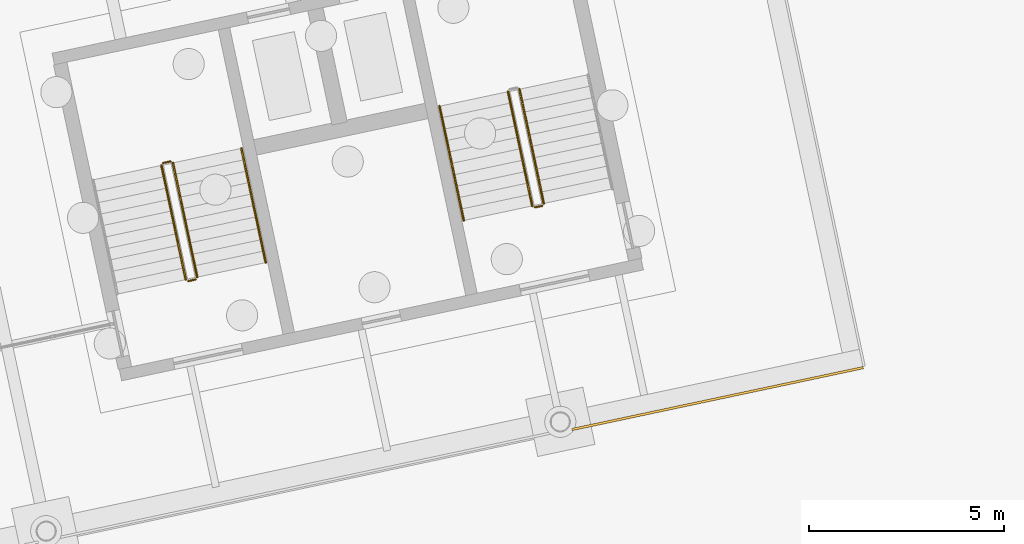
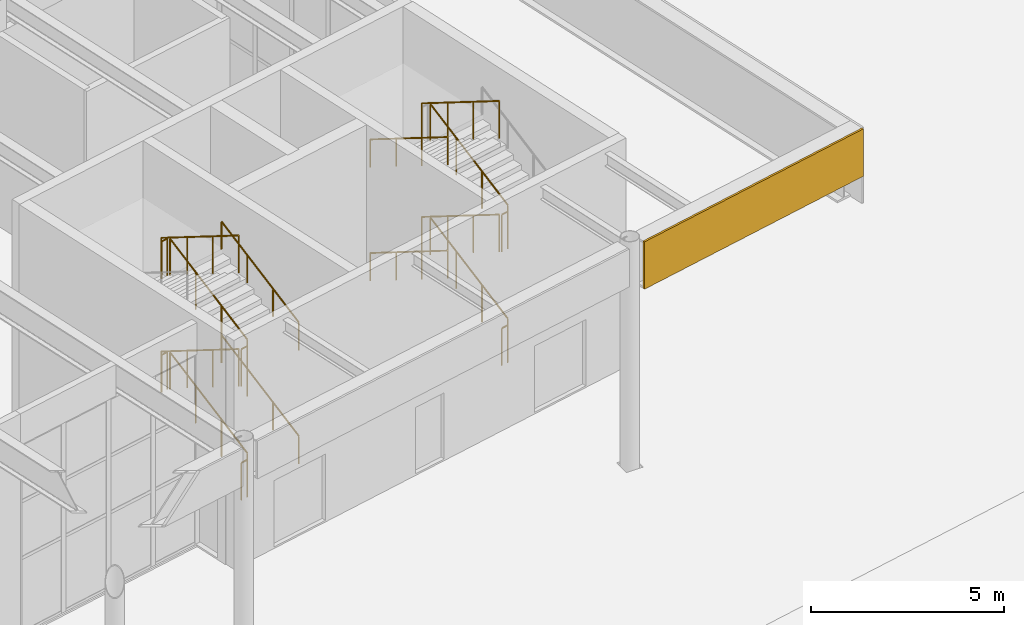
# One storey, part 217 of 239: 18 railings, 1 covering.
"""IFC4 building model written with IfcOpenShell, lengths in metres."""

import ifcopenshell
import ifcopenshell.guid

model = None  # the IFC model being written
_history = None  # IfcOwnerHistory: only IFC2X3 demands one
_inside = {}  # id of a spatial element -> (the spatial element, [elements in it])
_under = {}  # id of a project, library or spatial element -> (it, [spatial elements below it])
_declared = {}  # id of a project -> (the project, [libraries it declares])
_typed = {}  # id of a type object -> (the type object, [elements of that type])
_made_of = {}  # id of a material, layer set ... -> (it, [elements and type objects made of it])


def new_model(schema):
    """Start an empty IFC model of exactly this schema.

    Asked for "IFC4X3", IfcOpenShell would pick the latest addendum, in which some entities
    have other attributes; the version numbers below select the first issue.
    IFC2X3 requires an IfcOwnerHistory on every rooted entity: one is made here for all.
    """
    global model, _history
    if schema == "IFC4X3":
        model = ifcopenshell.file(schema_version=(4, 3, 0, 0))
    else:
        model = ifcopenshell.file(schema=schema)
    _inside.clear()
    _under.clear()
    _declared.clear()
    _typed.clear()
    _made_of.clear()
    _history = None
    if model.schema == "IFC2X3":
        org = make("IfcOrganization", Name="unknown")
        user = make(
            "IfcPersonAndOrganization",
            ThePerson=make("IfcPerson", FamilyName="unknown"),
            TheOrganization=org,
        )
        app = make(
            "IfcApplication",
            ApplicationDeveloper=org,
            Version="unknown",
            ApplicationFullName="unknown",
            ApplicationIdentifier="unknown",
        )
        _history = make(
            "IfcOwnerHistory",
            OwningUser=user,
            OwningApplication=app,
            ChangeAction="ADDED",
            CreationDate=0,
        )
    return model


def make(cls, **values):
    """One entity of the class cls with the attributes given. An attribute that is None is left unset."""
    return model.create_entity(
        cls, **{name: value for name, value in values.items() if value is not None}
    )


def rooted(cls, **values):
    """An entity with a GlobalId (a new one), such as an element, a storey or a relation."""
    return make(cls, GlobalId=ifcopenshell.guid.new(), OwnerHistory=_history, **values)


def si_unit(unit_type, name, prefix=None):
    """IfcSIUnit, for example si_unit("LENGTHUNIT", "METRE", prefix="MILLI")."""
    return make("IfcSIUnit", UnitType=unit_type, Prefix=prefix, Name=name)


def assignment(units):
    """IfcUnitAssignment: the units of a project."""
    return None if units is None else make("IfcUnitAssignment", Units=units)


def point(xyz):
    """IfcCartesianPoint."""
    return None if xyz is None else make("IfcCartesianPoint", Coordinates=xyz)


def direction(xyz):
    """IfcDirection."""
    return None if xyz is None else make("IfcDirection", DirectionRatios=xyz)


def frame(location, z_axis=None, x_axis=None):
    """IfcAxis2Placement3D, a coordinate frame: its origin and axes. An axis left out is left unset."""
    return make(
        "IfcAxis2Placement3D",
        Location=point(location),
        Axis=direction(z_axis),
        RefDirection=direction(x_axis),
    )


def frame_2d(location, x_axis=None):
    """IfcAxis2Placement2D, a coordinate frame in the plane: its origin and x axis."""
    return make(
        "IfcAxis2Placement2D", Location=point(location), RefDirection=direction(x_axis)
    )


def origin():
    """The frame at (0, 0, 0) with its axes left unset."""
    return frame((0.0, 0.0, 0.0))


def origin_2d():
    """The frame at (0, 0) in the plane with its x axis left unset."""
    return frame_2d((0.0, 0.0))


def place(relative_to, where):
    """IfcLocalPlacement: puts the frame where relative to a parent placement (None: the world)."""
    return make(
        "IfcLocalPlacement", PlacementRelTo=relative_to, RelativePlacement=where
    )


def context(
    kind, dimensions, precision=None, world=None, true_north=None, identifier=None
):
    """IfcGeometricRepresentationContext, for example the 3D "Model" context."""
    return make(
        "IfcGeometricRepresentationContext",
        ContextIdentifier=identifier,
        ContextType=kind,
        CoordinateSpaceDimension=dimensions,
        Precision=precision,
        WorldCoordinateSystem=world,
        TrueNorth=true_north,
    )


def subcontext(parent, identifier, kind, view, scale=None):
    """IfcGeometricRepresentationSubContext, for example "Body" below "Model"."""
    return make(
        "IfcGeometricRepresentationSubContext",
        ContextIdentifier=identifier,
        ContextType=kind,
        ParentContext=parent,
        TargetScale=scale,
        TargetView=view,
    )


def project(units=None, contexts=None):
    """IfcProject with its units and contexts."""
    return rooted(
        "IfcProject",
        Name="project",
        RepresentationContexts=contexts,
        UnitsInContext=assignment(units),
    )


def spatial(cls, under=None, at=None, **own):
    """A site, building, storey or space (cls), placed at a placement, below another one or the project."""
    s = rooted(cls, ObjectPlacement=at, **own)
    if under is not None:
        _under.setdefault(under.id(), (under, []))[1].append(s)
    return s


def profile(cls, at=None, kind="AREA", **sizes):
    """A parametric profile (cls). Its sizes go by their IFC names, for example OverallWidth=200.0."""
    return make(cls, ProfileType=kind, Position=at, **sizes)


def rectangle(**sizes):
    """IfcRectangleProfileDef."""
    return profile("IfcRectangleProfileDef", **sizes)


def circle(**sizes):
    """IfcCircleProfileDef."""
    return profile("IfcCircleProfileDef", **sizes)


def extrude(swept, where, along, depth):
    """IfcExtrudedAreaSolid: the profile swept, set in the frame where, extruded along a direction by depth."""
    return make(
        "IfcExtrudedAreaSolid",
        SweptArea=swept,
        Position=where,
        ExtrudedDirection=direction(along),
        Depth=depth,
    )


def shape(context_of_items, identifier, shape_type, items):
    """IfcShapeRepresentation: the items that make up one representation, for example the "Body"."""
    return make(
        "IfcShapeRepresentation",
        ContextOfItems=context_of_items,
        RepresentationIdentifier=identifier,
        RepresentationType=shape_type,
        Items=items,
    )


def material(Name=None, Category=None):
    """IfcMaterial."""
    return make("IfcMaterial", Name=Name, Category=Category)


def layer(
    of_material, thickness, ventilated=None, Name=None, Category=None, Priority=None
):
    """IfcMaterialLayer: one layer of a wall or slab, of a material (None: an air gap)."""
    return make(
        "IfcMaterialLayer",
        Material=of_material,
        LayerThickness=thickness,
        IsVentilated=ventilated,
        Name=Name,
        Category=Category,
        Priority=Priority,
    )


def layer_set(layers, Name=None):
    """IfcMaterialLayerSet."""
    return make("IfcMaterialLayerSet", MaterialLayers=layers, LayerSetName=Name)


def made_of(thing, what):
    """Note that an element or type object is made of a material, layer set ...; save() writes the relation."""
    if what is not None:
        _made_of.setdefault(what.id(), (what, []))[1].append(thing)
    return thing


def type_object(cls, material=None, **own):
    """A type object (cls), such as IfcWallType, which elements share."""
    return made_of(rooted(cls, **own), material)


def element(
    cls,
    number,
    at=None,
    inside=None,
    cuts=None,
    type_object=None,
    material=None,
    context=None,
    identifier="Body",
    shape_type=None,
    held_by="IfcProductDefinitionShape",
    body=None,
    shapes=None,
    **own,
):
    """One element of the class cls, such as IfcWall. Its Tag is "e" and its number.

    at: its placement. inside: the storey or other place that contains it. cuts: it is an
    opening in that element (IfcRelVoidsElement). A single representation is given by context,
    identifier, shape_type and body (its items); several are given by shapes. held_by: the class
    of the entity that holds the representations. save() writes the other relations.
    """
    e = rooted(cls, Tag="e%d" % number, ObjectPlacement=at, **own)
    if body is not None:
        shapes = [shape(context, identifier, shape_type, body)]
    if shapes is not None:
        e.Representation = make(held_by, Representations=shapes)
    if inside is not None:
        _inside.setdefault(inside.id(), (inside, []))[1].append(e)
    if cuts is not None:
        rooted(
            "IfcRelVoidsElement", RelatingBuildingElement=cuts, RelatedOpeningElement=e
        )
    if type_object is not None:
        _typed.setdefault(type_object.id(), (type_object, []))[1].append(e)
    return made_of(e, material)


def aggregate(whole, parts):
    """IfcRelAggregates: a whole, such as a stair, and the parts it consists of."""
    return rooted("IfcRelAggregates", RelatingObject=whole, RelatedObjects=parts)


def save(model, path):
    """Write the relations noted so far, then the file.

    IfcRelAggregates (storeys below a building ...), IfcRelContainedInSpatialStructure (elements
    in a storey), IfcRelDefinesByType, IfcRelAssociatesMaterial and IfcRelDeclares: one each for
    every whole, place, type object, material and project.
    """
    for whole, parts in _under.values():
        aggregate(whole, parts)
    for where, things in _inside.values():
        rooted(
            "IfcRelContainedInSpatialStructure",
            RelatedElements=things,
            RelatingStructure=where,
        )
    for kind, things in _typed.values():
        rooted("IfcRelDefinesByType", RelatedObjects=things, RelatingType=kind)
    for what, things in _made_of.values():
        rooted("IfcRelAssociatesMaterial", RelatedObjects=things, RelatingMaterial=what)
    for by, libraries in _declared.values():
        rooted("IfcRelDeclares", RelatingContext=by, RelatedDefinitions=libraries)
    model.write(path)


model = new_model("IFC4")

# Units and contexts
model_context = context("Model", 3, precision=1e-05, world=origin(), true_north=direction((0.0, 1.0)))
body_context = subcontext(model_context, "Body", "Model", "MODEL_VIEW")
ifc_project = project(units=[si_unit("LENGTHUNIT", "METRE"), si_unit("AREAUNIT", "SQUARE_METRE"), si_unit("VOLUMEUNIT", "CUBIC_METRE"), si_unit("PLANEANGLEUNIT", "RADIAN"), si_unit("MASSUNIT", "GRAM", prefix="KILO")], contexts=[model_context])

# Site, building, storey
site_placement = place(None, origin())
site = spatial("IfcSite", under=ifc_project, at=site_placement, CompositionType="ELEMENT")
building_placement = place(site_placement, origin())
building = spatial("IfcBuilding", under=site, at=building_placement, Name="Okhra Congress Centre", CompositionType="ELEMENT")
storey_placement = place(building_placement, origin())
storey = spatial("IfcBuildingStorey", under=building, at=storey_placement, Name="L00", CompositionType="ELEMENT", Elevation=0.0)

# Covering
ifc_material_1 = material(Name="Dark bronze anodised aluminium fascia panel", Category="aluminium")
ifc_layer = layer(ifc_material_1, 0.06005859375)
ifc_layer_set = layer_set([ifc_layer], Name="Dark bronze fascia strip 60")
covering_type = type_object("IfcCoveringType", Name="Dark bronze fascia strip 60", PredefinedType="CLADDING", material=ifc_layer_set)
covering_placement = place(storey_placement, frame((214.70849609375, 59.218017578125, 5.550048828125), z_axis=(0.0, 0.0, 1.0), x_axis=(0.978147600734, 0.207911690818, 0.0)))
element("IfcCovering", 1, at=covering_placement, inside=storey, type_object=covering_type, Name="Girder fascia strip", PredefinedType="CLADDING", context=body_context, shape_type="SweptSolid", body=[
    extrude(rectangle(XDim=7.64599609375, YDim=0.06005859375, at=origin_2d()), origin(), (0.0, 0.0, 1.0), 1.5),
])

# Railings
ifc_material_2 = material(Name="Painted steel tube handrail on wall brackets", Category="steel")
railing_type_1 = type_object("IfcRailingType", Name="Steel handrail 900", PredefinedType="HANDRAIL", material=ifc_material_2)
railing_1_placement = place(storey_placement, frame((203.1015625, 62.711181640625, 0.16357421875)))
element("IfcRailing", 2, at=railing_1_placement, inside=storey, type_object=railing_type_1, Name="L00 BS5A stair handrail 1", PredefinedType="HANDRAIL", context=body_context, shape_type="SweptSolid", body=[
    extrude(circle(Radius=0.02392578125, at=origin_2d()), frame((0.0, 0.0, 0.8759765625), z_axis=(-0.182539774255, 0.858687102456, 0.478890061383), x_axis=(-0.978142921837, -0.207933702079, 0.0)), (0.0, 0.0, 1.0), 3.417236328125),
    extrude(circle(Radius=0.02099609375, at=origin_2d()), origin(), (0.0, 0.0, 1.0), 0.851806640625),
    extrude(circle(Radius=0.02099609375, at=origin_2d()), frame((-0.2080078125, 0.97802734375, 0.54541015625)), (0.0, 0.0, 1.0), 0.851806640625),
    extrude(circle(Radius=0.02099609375, at=origin_2d()), frame((-0.415771484375, 1.956298828125, 1.091064453125)), (0.0, 0.0, 1.0), 0.851806640625),
    extrude(circle(Radius=0.02099609375, at=origin_2d()), frame((-0.623779296875, 2.934326171875, 1.636474609375)), (0.0, 0.0, 1.0), 0.851806640625),
])
railing_2_placement = place(storey_placement, frame((203.1015625, 62.711181640625, 3.763671875)))
element("IfcRailing", 3, at=railing_2_placement, inside=storey, type_object=railing_type_1, Name="L00 BS5A stair handrail 3", PredefinedType="HANDRAIL", context=body_context, shape_type="SweptSolid", body=[
    extrude(circle(Radius=0.02392578125, at=origin_2d()), frame((0.0, 0.0, 0.8759765625), z_axis=(-0.182546019505, 0.858716480796, 0.478834999109), x_axis=(-0.978142921837, -0.207933702079, 0.0)), (0.0, 0.0, 1.0), 3.4169921875),
    extrude(circle(Radius=0.02099609375, at=origin_2d()), origin(), (0.0, 0.0, 1.0), 0.851806640625),
    extrude(circle(Radius=0.02099609375, at=origin_2d()), frame((-0.2080078125, 0.97802734375, 0.54541015625)), (0.0, 0.0, 1.0), 0.851806640625),
    extrude(circle(Radius=0.02099609375, at=origin_2d()), frame((-0.415771484375, 1.956298828125, 1.0908203125)), (0.0, 0.0, 1.0), 0.851806640625),
    extrude(circle(Radius=0.02099609375, at=origin_2d()), frame((-0.623779296875, 2.934326171875, 1.63623046875)), (0.0, 0.0, 1.0), 0.851806640625),
])
railing_3_placement = place(storey_placement, frame((207.564208984375, 66.7265625, 1.963623046875)))
element("IfcRailing", 4, at=railing_3_placement, inside=storey, type_object=railing_type_1, Name="L00 BS5B stair handrail 2", PredefinedType="HANDRAIL", context=body_context, shape_type="SweptSolid", body=[
    extrude(circle(Radius=0.02392578125, at=origin_2d()), frame((0.0, 0.0, 0.8759765625), z_axis=(0.182539774255, -0.858687102456, 0.478890061383), x_axis=(0.978142921837, 0.207933702079, 0.0)), (0.0, 0.0, 1.0), 3.417236328125),
    extrude(circle(Radius=0.02099609375, at=origin_2d()), origin(), (0.0, 0.0, 1.0), 0.851806640625),
    extrude(circle(Radius=0.02099609375, at=origin_2d()), frame((0.2080078125, -0.97802734375, 0.54541015625)), (0.0, 0.0, 1.0), 0.851806640625),
    extrude(circle(Radius=0.02099609375, at=origin_2d()), frame((0.415771484375, -1.956298828125, 1.091064453125)), (0.0, 0.0, 1.0), 0.851806640625),
    extrude(circle(Radius=0.02099609375, at=origin_2d()), frame((0.623779296875, -2.934326171875, 1.636474609375)), (0.0, 0.0, 1.0), 0.851806640625),
])
railing_4_placement = place(storey_placement, frame((207.564208984375, 66.7265625, 5.563720703125)))
element("IfcRailing", 5, at=railing_4_placement, inside=storey, type_object=railing_type_1, Name="L00 BS5B stair handrail 4", PredefinedType="HANDRAIL", context=body_context, shape_type="SweptSolid", body=[
    extrude(circle(Radius=0.02392578125, at=origin_2d()), frame((0.0, 0.0, 0.8759765625), z_axis=(0.182546019505, -0.858716480796, 0.478834999109), x_axis=(0.978142921837, 0.207933702079, 0.0)), (0.0, 0.0, 1.0), 3.4169921875),
    extrude(circle(Radius=0.02099609375, at=origin_2d()), origin(), (0.0, 0.0, 1.0), 0.851806640625),
    extrude(circle(Radius=0.02099609375, at=origin_2d()), frame((0.2080078125, -0.97802734375, 0.54541015625)), (0.0, 0.0, 1.0), 0.851806640625),
    extrude(circle(Radius=0.02099609375, at=origin_2d()), frame((0.415771484375, -1.956298828125, 1.0908203125)), (0.0, 0.0, 1.0), 0.851806640625),
    extrude(circle(Radius=0.02099609375, at=origin_2d()), frame((0.623779296875, -2.934326171875, 1.63623046875)), (0.0, 0.0, 1.0), 0.851806640625),
])
ifc_material_3 = material(Name="Painted steel tube guard with vertical steel balusters", Category="steel")
railing_type_2 = type_object("IfcRailingType", Name="Steel stair guard 1200", PredefinedType="GUARDRAIL", material=ifc_material_3)
railing_5_placement = place(storey_placement, frame((201.3408203125, 62.3369140625, 0.16357421875)))
element("IfcRailing", 6, at=railing_5_placement, inside=storey, type_object=railing_type_2, Name="L00 BS5A stair guard 1", PredefinedType="GUARDRAIL", context=body_context, shape_type="SweptSolid", body=[
    extrude(circle(Radius=0.02392578125, at=origin_2d()), frame((0.0, 0.0, 1.17578125), z_axis=(-0.182470709339, 0.858698298962, 0.478896305678), x_axis=(-0.978159471426, -0.207855835762, 0.0)), (0.0, 0.0, 1.0), 3.417236328125),
    extrude(circle(Radius=0.02099609375, at=origin_2d()), origin(), (0.0, 0.0, 1.0), 1.15185546875),
    extrude(circle(Radius=0.02099609375, at=origin_2d()), frame((-0.207763671875, 0.97802734375, 0.54541015625)), (0.0, 0.0, 1.0), 1.15185546875),
    extrude(circle(Radius=0.02099609375, at=origin_2d()), frame((-0.415771484375, 1.956298828125, 1.091064453125)), (0.0, 0.0, 1.0), 1.15185546875),
    extrude(circle(Radius=0.02099609375, at=origin_2d()), frame((-0.62353515625, 2.934326171875, 1.636474609375)), (0.0, 0.0, 1.0), 1.15185546875),
])
railing_6_placement = place(storey_placement, frame((200.657958984375, 65.309814453125, 1.800048828125)))
element("IfcRailing", 7, at=railing_6_placement, inside=storey, type_object=railing_type_2, Name="L00 BS5A stair guard 2", PredefinedType="GUARDRAIL", context=body_context, shape_type="SweptSolid", body=[
    extrude(circle(Radius=0.02392578125, at=origin_2d()), frame((0.0, 0.0, 1.17578125), z_axis=(-0.97826412705, -0.207362720198, 0.0), x_axis=(0.207362720198, -0.97826412705, 0.0)), (0.0, 0.0, 1.0), 0.2001953125),
    extrude(circle(Radius=0.02099609375, at=origin_2d()), origin(), (0.0, 0.0, 1.0), 1.15185546875),
    extrude(circle(Radius=0.02099609375, at=origin_2d()), frame((-0.19580078125, -0.04150390625, 0.0)), (0.0, 0.0, 1.0), 1.15185546875),
])
railing_7_placement = place(storey_placement, frame((200.423828125, 65.208984375, 1.963623046875)))
element("IfcRailing", 8, at=railing_7_placement, inside=storey, type_object=railing_type_2, Name="L00 BS5A stair guard 3", PredefinedType="GUARDRAIL", context=body_context, shape_type="SweptSolid", body=[
    extrude(circle(Radius=0.02392578125, at=origin_2d()), frame((0.0, 0.0, 1.17578125), z_axis=(0.182528576341, -0.858705865993, 0.47886068384), x_axis=(0.978146440129, 0.207917150959, 0.0)), (0.0, 0.0, 1.0), 3.41748046875),
    extrude(circle(Radius=0.02099609375, at=origin_2d()), origin(), (0.0, 0.0, 1.0), 1.15185546875),
    extrude(circle(Radius=0.02099609375, at=origin_2d()), frame((0.2080078125, -0.978271484375, 0.54541015625)), (0.0, 0.0, 1.0), 1.15185546875),
    extrude(circle(Radius=0.02099609375, at=origin_2d()), frame((0.415771484375, -1.956298828125, 1.091064453125)), (0.0, 0.0, 1.0), 1.15185546875),
    extrude(circle(Radius=0.02099609375, at=origin_2d()), frame((0.623779296875, -2.9345703125, 1.636474609375)), (0.0, 0.0, 1.0), 1.15185546875),
])
railing_8_placement = place(storey_placement, frame((201.302490234375, 62.277587890625, 3.60009765625)))
element("IfcRailing", 9, at=railing_8_placement, inside=storey, type_object=railing_type_2, Name="L00 BS5A stair guard 4", PredefinedType="GUARDRAIL", context=body_context, shape_type="SweptSolid", body=[
    extrude(circle(Radius=0.02392578125, at=origin_2d()), frame((0.0, 0.0, 1.17578125), z_axis=(-0.978016054442, -0.208529607618, 0.0), x_axis=(0.208529607618, -0.978016054442, 0.0)), (0.0, 0.0, 1.0), 0.2001953125),
    extrude(circle(Radius=0.02099609375, at=origin_2d()), origin(), (0.0, 0.0, 1.0), 1.15185546875),
    extrude(circle(Radius=0.02099609375, at=origin_2d()), frame((-0.19580078125, -0.041748046875, 0.0)), (0.0, 0.0, 1.0), 1.15185546875),
])
railing_9_placement = place(storey_placement, frame((201.3408203125, 62.3369140625, 3.763671875)))
element("IfcRailing", 10, at=railing_9_placement, inside=storey, type_object=railing_type_2, Name="L00 BS5A stair guard 5", PredefinedType="GUARDRAIL", context=body_context, shape_type="SweptSolid", body=[
    extrude(circle(Radius=0.02392578125, at=origin_2d()), frame((0.0, 0.0, 1.17578125), z_axis=(-0.182476952389, 0.858727678452, 0.478841243114), x_axis=(-0.978159471426, -0.207855835762, 0.0)), (0.0, 0.0, 1.0), 3.4169921875),
    extrude(circle(Radius=0.02099609375, at=origin_2d()), origin(), (0.0, 0.0, 1.0), 1.15185546875),
    extrude(circle(Radius=0.02099609375, at=origin_2d()), frame((-0.207763671875, 0.97802734375, 0.54541015625)), (0.0, 0.0, 1.0), 1.15185546875),
    extrude(circle(Radius=0.02099609375, at=origin_2d()), frame((-0.415771484375, 1.956298828125, 1.0908203125)), (0.0, 0.0, 1.0), 1.15185546875),
    extrude(circle(Radius=0.02099609375, at=origin_2d()), frame((-0.62353515625, 2.934326171875, 1.63623046875)), (0.0, 0.0, 1.0), 1.15185546875),
])
railing_10_placement = place(storey_placement, frame((200.657958984375, 65.309814453125, 5.39990234375)))
element("IfcRailing", 11, at=railing_10_placement, inside=storey, type_object=railing_type_2, Name="L00 BS5A stair guard 6", PredefinedType="GUARDRAIL", context=body_context, shape_type="SweptSolid", body=[
    extrude(circle(Radius=0.02392578125, at=origin_2d()), frame((0.0, 0.0, 1.17578125), z_axis=(-0.97826412705, -0.207362720198, 0.0), x_axis=(0.207362720198, -0.97826412705, 0.0)), (0.0, 0.0, 1.0), 0.2001953125),
    extrude(circle(Radius=0.02099609375, at=origin_2d()), origin(), (0.0, 0.0, 1.0), 1.15185546875),
    extrude(circle(Radius=0.02099609375, at=origin_2d()), frame((-0.19580078125, -0.04150390625, 0.0)), (0.0, 0.0, 1.0), 1.15185546875),
])
railing_11_placement = place(storey_placement, frame((200.423828125, 65.208984375, 5.563720703125)))
element("IfcRailing", 12, at=railing_11_placement, inside=storey, type_object=railing_type_2, Name="L00 BS5A stair guard 7", PredefinedType="GUARDRAIL", context=body_context, shape_type="SweptSolid", body=[
    extrude(circle(Radius=0.02392578125, at=origin_2d()), frame((0.0, 0.0, 1.17578125), z_axis=(0.182534820441, -0.858735241371, 0.478805622934), x_axis=(0.978146440129, 0.207917150959, 0.0)), (0.0, 0.0, 1.0), 3.417236328125),
    extrude(circle(Radius=0.02099609375, at=origin_2d()), origin(), (0.0, 0.0, 1.0), 1.15185546875),
    extrude(circle(Radius=0.02099609375, at=origin_2d()), frame((0.2080078125, -0.978271484375, 0.54541015625)), (0.0, 0.0, 1.0), 1.15185546875),
    extrude(circle(Radius=0.02099609375, at=origin_2d()), frame((0.415771484375, -1.956298828125, 1.0908203125)), (0.0, 0.0, 1.0), 1.15185546875),
    extrude(circle(Radius=0.02099609375, at=origin_2d()), frame((0.623779296875, -2.9345703125, 1.63623046875)), (0.0, 0.0, 1.0), 1.15185546875),
])
railing_12_placement = place(storey_placement, frame((201.302490234375, 62.277587890625, 0.0)))
element("IfcRailing", 13, at=railing_12_placement, inside=storey, type_object=railing_type_2, Name="L00 BS5A stair guard 8", PredefinedType="GUARDRAIL", context=body_context, shape_type="SweptSolid", body=[
    extrude(circle(Radius=0.02392578125, at=origin_2d()), frame((0.0, 0.0, 1.17578125), z_axis=(-0.978016054442, -0.208529607618, 0.0), x_axis=(0.208529607618, -0.978016054442, 0.0)), (0.0, 0.0, 1.0), 0.2001953125),
    extrude(circle(Radius=0.02099609375, at=origin_2d()), origin(), (0.0, 0.0, 1.0), 1.15185546875),
    extrude(circle(Radius=0.02099609375, at=origin_2d()), frame((-0.19580078125, -0.041748046875, 0.0)), (0.0, 0.0, 1.0), 1.15185546875),
])
railing_13_placement = place(storey_placement, frame((210.2421875, 64.228759765625, 0.16357421875)))
element("IfcRailing", 14, at=railing_13_placement, inside=storey, type_object=railing_type_2, Name="L00 BS5B stair guard 1", PredefinedType="GUARDRAIL", context=body_context, shape_type="SweptSolid", body=[
    extrude(circle(Radius=0.02392578125, at=origin_2d()), frame((0.0, 0.0, 1.17578125), z_axis=(-0.182528576341, 0.858705865993, 0.47886068384), x_axis=(-0.978146440129, -0.207917150959, 0.0)), (0.0, 0.0, 1.0), 3.41748046875),
    extrude(circle(Radius=0.02099609375, at=origin_2d()), origin(), (0.0, 0.0, 1.0), 1.15185546875),
    extrude(circle(Radius=0.02099609375, at=origin_2d()), frame((-0.2080078125, 0.978271484375, 0.54541015625)), (0.0, 0.0, 1.0), 1.15185546875),
    extrude(circle(Radius=0.02099609375, at=origin_2d()), frame((-0.415771484375, 1.956298828125, 1.091064453125)), (0.0, 0.0, 1.0), 1.15185546875),
    extrude(circle(Radius=0.02099609375, at=origin_2d()), frame((-0.623779296875, 2.9345703125, 1.636474609375)), (0.0, 0.0, 1.0), 1.15185546875),
])
railing_14_placement = place(storey_placement, frame((209.324951171875, 67.100830078125, 1.963623046875)))
element("IfcRailing", 15, at=railing_14_placement, inside=storey, type_object=railing_type_2, Name="L00 BS5B stair guard 3", PredefinedType="GUARDRAIL", context=body_context, shape_type="SweptSolid", body=[
    extrude(circle(Radius=0.02392578125, at=origin_2d()), frame((0.0, 0.0, 1.17578125), z_axis=(0.182539774255, -0.858687102456, 0.478890061383), x_axis=(0.978142921837, 0.207933702079, 0.0)), (0.0, 0.0, 1.0), 3.417236328125),
    extrude(circle(Radius=0.02099609375, at=origin_2d()), origin(), (0.0, 0.0, 1.0), 1.15185546875),
    extrude(circle(Radius=0.02099609375, at=origin_2d()), frame((0.2080078125, -0.97802734375, 0.54541015625)), (0.0, 0.0, 1.0), 1.15185546875),
    extrude(circle(Radius=0.02099609375, at=origin_2d()), frame((0.415771484375, -1.956298828125, 1.091064453125)), (0.0, 0.0, 1.0), 1.15185546875),
    extrude(circle(Radius=0.02099609375, at=origin_2d()), frame((0.623779296875, -2.934326171875, 1.636474609375)), (0.0, 0.0, 1.0), 1.15185546875),
])
railing_15_placement = place(storey_placement, frame((210.20361328125, 64.16943359375, 3.60009765625)))
element("IfcRailing", 16, at=railing_15_placement, inside=storey, type_object=railing_type_2, Name="L00 BS5B stair guard 4", PredefinedType="GUARDRAIL", context=body_context, shape_type="SweptSolid", body=[
    extrude(circle(Radius=0.02392578125, at=origin_2d()), frame((0.0, 0.0, 1.17578125), z_axis=(-0.978211583308, -0.207610448392, 0.0), x_axis=(0.207610448392, -0.978211583308, 0.0)), (0.0, 0.0, 1.0), 0.199951171875),
    extrude(circle(Radius=0.02099609375, at=origin_2d()), origin(), (0.0, 0.0, 1.0), 1.15185546875),
    extrude(circle(Radius=0.02099609375, at=origin_2d()), frame((-0.195556640625, -0.04150390625, 0.0)), (0.0, 0.0, 1.0), 1.15185546875),
])
railing_16_placement = place(storey_placement, frame((210.2421875, 64.228759765625, 3.763671875)))
element("IfcRailing", 17, at=railing_16_placement, inside=storey, type_object=railing_type_2, Name="L00 BS5B stair guard 5", PredefinedType="GUARDRAIL", context=body_context, shape_type="SweptSolid", body=[
    extrude(circle(Radius=0.02392578125, at=origin_2d()), frame((0.0, 0.0, 1.17578125), z_axis=(-0.182534820441, 0.858735241371, 0.478805622934), x_axis=(-0.978146440129, -0.207917150959, 0.0)), (0.0, 0.0, 1.0), 3.417236328125),
    extrude(circle(Radius=0.02099609375, at=origin_2d()), origin(), (0.0, 0.0, 1.0), 1.15185546875),
    extrude(circle(Radius=0.02099609375, at=origin_2d()), frame((-0.2080078125, 0.978271484375, 0.54541015625)), (0.0, 0.0, 1.0), 1.15185546875),
    extrude(circle(Radius=0.02099609375, at=origin_2d()), frame((-0.415771484375, 1.956298828125, 1.0908203125)), (0.0, 0.0, 1.0), 1.15185546875),
    extrude(circle(Radius=0.02099609375, at=origin_2d()), frame((-0.623779296875, 2.9345703125, 1.63623046875)), (0.0, 0.0, 1.0), 1.15185546875),
])
railing_17_placement = place(storey_placement, frame((209.324951171875, 67.100830078125, 5.563720703125)))
element("IfcRailing", 18, at=railing_17_placement, inside=storey, type_object=railing_type_2, Name="L00 BS5B stair guard 7", PredefinedType="GUARDRAIL", context=body_context, shape_type="SweptSolid", body=[
    extrude(circle(Radius=0.02392578125, at=origin_2d()), frame((0.0, 0.0, 1.17578125), z_axis=(0.182546019505, -0.858716480796, 0.478834999109), x_axis=(0.978142921837, 0.207933702079, 0.0)), (0.0, 0.0, 1.0), 3.4169921875),
    extrude(circle(Radius=0.02099609375, at=origin_2d()), origin(), (0.0, 0.0, 1.0), 1.15185546875),
    extrude(circle(Radius=0.02099609375, at=origin_2d()), frame((0.2080078125, -0.97802734375, 0.54541015625)), (0.0, 0.0, 1.0), 1.15185546875),
    extrude(circle(Radius=0.02099609375, at=origin_2d()), frame((0.415771484375, -1.956298828125, 1.0908203125)), (0.0, 0.0, 1.0), 1.15185546875),
    extrude(circle(Radius=0.02099609375, at=origin_2d()), frame((0.623779296875, -2.934326171875, 1.63623046875)), (0.0, 0.0, 1.0), 1.15185546875),
])
railing_18_placement = place(storey_placement, frame((210.20361328125, 64.16943359375, 0.0)))
element("IfcRailing", 19, at=railing_18_placement, inside=storey, type_object=railing_type_2, Name="L00 BS5B stair guard 8", PredefinedType="GUARDRAIL", context=body_context, shape_type="SweptSolid", body=[
    extrude(circle(Radius=0.02392578125, at=origin_2d()), frame((0.0, 0.0, 1.17578125), z_axis=(-0.978211583308, -0.207610448392, 0.0), x_axis=(0.207610448392, -0.978211583308, 0.0)), (0.0, 0.0, 1.0), 0.199951171875),
    extrude(circle(Radius=0.02099609375, at=origin_2d()), origin(), (0.0, 0.0, 1.0), 1.15185546875),
    extrude(circle(Radius=0.02099609375, at=origin_2d()), frame((-0.195556640625, -0.04150390625, 0.0)), (0.0, 0.0, 1.0), 1.15185546875),
])

save(model, "model.ifc")
